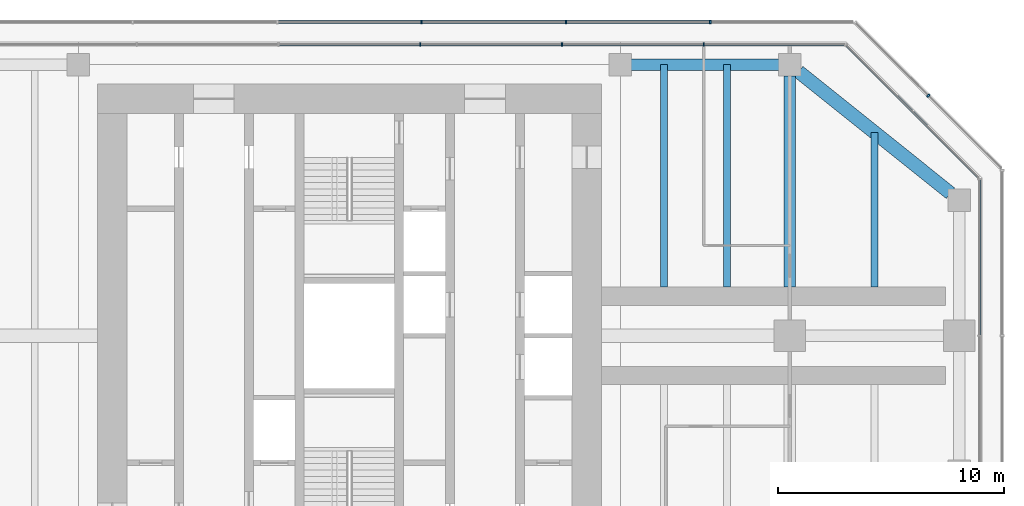
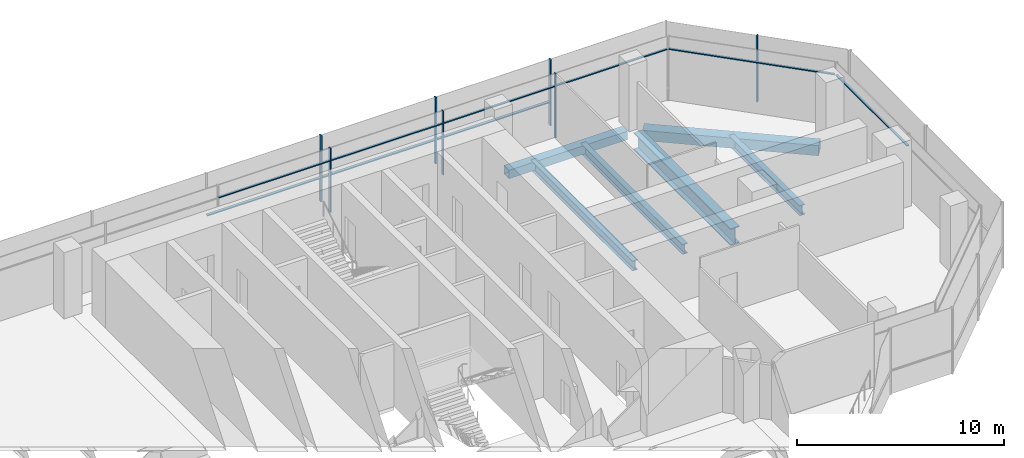
# One storey, part 7 of 15: 16 members, 6 beams, 5 elements without a shape of their own.
"""IFC4 building model written with IfcOpenShell, lengths in metres."""

from ifc_helpers import new_model, si_unit, direction, frame, origin, origin_2d, place, context, subcontext, project, spatial, rectangle, hollow_rectangle, i_section, extrude, material, material_profile, profile_set, type_object, element, aggregate, save


model = new_model("IFC4")

# Units and contexts
model_context = context("Model", 3, precision=1e-05, world=origin(), true_north=direction((0.0, 1.0)))
body_context = subcontext(model_context, "Body", "Model", "MODEL_VIEW")
ifc_project = project(units=[si_unit("LENGTHUNIT", "METRE"), si_unit("AREAUNIT", "SQUARE_METRE"), si_unit("VOLUMEUNIT", "CUBIC_METRE"), si_unit("PLANEANGLEUNIT", "RADIAN"), si_unit("MASSUNIT", "GRAM", prefix="KILO")], contexts=[model_context])

# Site, building, storey
site_placement = place(None, origin())
site = spatial("IfcSite", under=ifc_project, at=site_placement, CompositionType="ELEMENT")
building_placement = place(site_placement, origin())
building = spatial("IfcBuilding", under=site, at=building_placement, Name="Mizan Broadcast Tower", CompositionType="ELEMENT")
storey_placement = place(building_placement, frame((0.0, 0.0, 275.10009765625)))
storey = spatial("IfcBuildingStorey", under=building, at=storey_placement, Name="L65", CompositionType="ELEMENT", Elevation=275.10009765625)

# Beams
ifc_material_1 = material(Name="Steel S355", Category="steel")
ifc_material_profile_1 = material_profile(ifc_material_1, hollow_rectangle(XDim=0.5, YDim=0.5, WallThickness=0.030029296875, at=origin_2d()), Name="BOX 500x500x30")
ifc_profile_set_1 = profile_set([ifc_material_profile_1], Name="Steel S355")
beam_type_1 = type_object("IfcBeamType", Name="EDGE BEAM BOX 500x500x30", PredefinedType="SPANDREL", material=ifc_profile_set_1)
beam_1_placement = place(storey_placement, frame((12.449951171875, 12.0, -0.380126953125), z_axis=(1.0, 0.0, 0.0), x_axis=(0.0, 1.0, 0.0)))
element("IfcBeam", 1, at=beam_1_placement, inside=storey, type_object=beam_type_1, Name="Edge beam BOX 500x500x30 L65 east arm", PredefinedType="SPANDREL", context=body_context, shape_type="SweptSolid", body=[
    extrude(hollow_rectangle(XDim=0.5, YDim=0.5, WallThickness=0.030029296875, at=origin_2d()), origin(), (0.0, 0.0, 1.0), 6.60009765625),
])
ifc_material_2 = material(Name="Steel S355", Category="steel")
ifc_material_profile_2 = material_profile(ifc_material_2, hollow_rectangle(XDim=0.60009765625, YDim=0.60009765625, WallThickness=0.030029296875, at=origin_2d()), Name="BOX 600x600x30")
ifc_profile_set_2 = profile_set([ifc_material_profile_2], Name="Steel S355")
beam_type_2 = type_object("IfcBeamType", Name="EDGE BEAM BOX 600x600x30", PredefinedType="SPANDREL", material=ifc_profile_set_2)
beam_2_placement = place(storey_placement, frame((19.890380859375, 11.687744140625, -0.43017578125), z_axis=(0.780863273348, -0.62470196761, 0.0), x_axis=(0.62470196761, 0.780863273348, 0.0)))
element("IfcBeam", 2, at=beam_2_placement, inside=storey, type_object=beam_type_2, Name="Edge beam BOX 600x600x30 L65 east arm", PredefinedType="SPANDREL", context=body_context, shape_type="SweptSolid", body=[
    extrude(hollow_rectangle(XDim=0.60009765625, YDim=0.60009765625, WallThickness=0.030029296875, at=origin_2d()), origin(), (0.0, 0.0, 1.0), 8.60498046875),
])
ifc_material_3 = material(Name="Steel S460", Category="steel")
ifc_material_profile_3 = material_profile(ifc_material_3, i_section(OverallWidth=0.5, OverallDepth=1.0, WebThickness=0.02490234375, FlangeThickness=0.050048828125, at=origin_2d()), Name="WPG 1000x500")
ifc_profile_set_3 = profile_set([ifc_material_profile_3], Name="Steel S460")
beam_type_3 = type_object("IfcBeamType", Name="GIRDER WPG 1000x500", PredefinedType="BEAM", material=ifc_profile_set_3)
beam_3_placement = place(storey_placement, frame((19.5, 11.5, -0.630126953125), z_axis=(0.0, -1.0, 0.0), x_axis=(1.0, 0.0, 0.0)))
element("IfcBeam", 3, at=beam_3_placement, inside=storey, type_object=beam_type_3, Name="Girder WPG 1000x500 L65 east arm", PredefinedType="BEAM", context=body_context, shape_type="SweptSolid", body=[
    extrude(i_section(OverallWidth=0.5, OverallDepth=1.0, WebThickness=0.02490234375, FlangeThickness=0.050048828125, at=origin_2d()), origin(), (0.0, 0.0, 1.0), 9.35009765625),
])

# Curtain wall, members
ifc_material_4 = material(Name="Aluminium framed glazing", Category="aluminium")
curtain_wall_type_1 = type_object("IfcCurtainWallType", Name="INNER SKIN TOP ZONE", PredefinedType="USERDEFINED", material=ifc_material_4)
curtain_wall_1_placement = place(storey_placement, origin())
curtain_wall_1 = element("IfcCurtainWall", 4, at=curtain_wall_1_placement, inside=storey, type_object=curtain_wall_type_1, Name="Inner skin top zone L65 N end", ObjectType="INNER SKIN TOP ZONE", PredefinedType="USERDEFINED")
ifc_material_5 = material(Name="Aluminium, pale anodised", Category="aluminium")
ifc_material_profile_4 = material_profile(ifc_material_5, rectangle(XDim=0.159912109375, YDim=0.06005859375, at=origin_2d()), Name="MULLION 160x60")
ifc_profile_set_4 = profile_set([ifc_material_profile_4], Name="Aluminium, pale anodised")
member_type_1 = type_object("IfcMemberType", Name="INNER SKIN MULLION 60x160", PredefinedType="MULLION", material=ifc_profile_set_4)
member_1_placement = place(storey_placement, frame((15.684814453125, 12.89990234375, 0.0), z_axis=(0.0, 0.0, 1.0), x_axis=(0.0, -1.0, 0.0)))
member_1 = element("IfcMember", 5, at=member_1_placement, type_object=member_type_1, Name="Inner skin top zone L65 N end mullion 2", PredefinedType="MULLION", context=body_context, shape_type="SweptSolid", body=[
    extrude(rectangle(XDim=0.159912109375, YDim=0.06005859375, at=origin_2d()), origin(), (0.0, 0.0, 1.0), 3.77001953125),
])
member_2_placement = place(storey_placement, frame((9.410888671875, 12.89990234375, 0.0), z_axis=(0.0, 0.0, 1.0), x_axis=(0.0, -1.0, 0.0)))
member_2 = element("IfcMember", 6, at=member_2_placement, type_object=member_type_1, Name="Inner skin top zone L65 N end mullion 3", PredefinedType="MULLION", context=body_context, shape_type="SweptSolid", body=[
    extrude(rectangle(XDim=0.159912109375, YDim=0.06005859375, at=origin_2d()), origin(), (0.0, 0.0, 1.0), 3.77001953125),
])
member_3_placement = place(storey_placement, frame((3.136962890625, 12.89990234375, 0.0), z_axis=(0.0, 0.0, 1.0), x_axis=(0.0, -1.0, 0.0)))
member_3 = element("IfcMember", 7, at=member_3_placement, type_object=member_type_1, Name="Inner skin top zone L65 N end mullion 4", PredefinedType="MULLION", context=body_context, shape_type="SweptSolid", body=[
    extrude(rectangle(XDim=0.159912109375, YDim=0.06005859375, at=origin_2d()), origin(), (0.0, 0.0, 1.0), 3.77001953125),
])

# Curtain wall, member
curtain_wall_2_placement = place(storey_placement, origin())
curtain_wall_2 = element("IfcCurtainWall", 8, at=curtain_wall_2_placement, inside=storey, type_object=curtain_wall_type_1, Name="Inner skin top zone L65 E end", ObjectType="INNER SKIN TOP ZONE", PredefinedType="USERDEFINED")
ifc_material_6 = material(Name="Aluminium, pale anodised", Category="aluminium")
ifc_material_profile_5 = material_profile(ifc_material_6, rectangle(XDim=0.1201171875, YDim=0.06005859375, at=origin_2d()), Name="TRANSOM 120x60")
ifc_profile_set_5 = profile_set([ifc_material_profile_5], Name="Aluminium, pale anodised")
member_type_2 = type_object("IfcMemberType", Name="INNER SKIN TRANSOM 60x120", PredefinedType="USERDEFINED", material=ifc_profile_set_5)
member_4_placement = place(storey_placement, frame((27.89990234375, 0.030029296875, 3.02978515625), z_axis=(0.0, 1.0, 0.0), x_axis=(-1.0, 0.0, 0.0)))
member_4 = element("IfcMember", 9, at=member_4_placement, type_object=member_type_2, Name="Inner skin top zone L65 E end transom 2.1", ObjectType="TRANSOM", PredefinedType="USERDEFINED", context=body_context, shape_type="SweptSolid", body=[
    extrude(rectangle(XDim=0.1201171875, YDim=0.06005859375, at=origin_2d()), origin(), (0.0, 0.0, 1.0), 6.86865234375),
])
aggregate(curtain_wall_2, [member_4])

curtain_wall_3_placement = place(storey_placement, origin())
curtain_wall_3 = element("IfcCurtainWall", 10, at=curtain_wall_3_placement, inside=storey, type_object=curtain_wall_type_1, Name="Inner skin top zone L65 E chamfer", ObjectType="INNER SKIN TOP ZONE", PredefinedType="USERDEFINED")
member_5_placement = place(storey_placement, frame((27.857666015625, 7.0009765625, 3.02978515625), z_axis=(-0.707106781187, 0.707106781187, 0.0), x_axis=(-0.707106781187, -0.707106781187, 0.0)))
member_5 = element("IfcMember", 11, at=member_5_placement, type_object=member_type_2, Name="Inner skin top zone L65 E chamfer transom 1.1", ObjectType="TRANSOM", PredefinedType="USERDEFINED", context=body_context, shape_type="SweptSolid", body=[
    extrude(rectangle(XDim=0.1201171875, YDim=0.06005859375, at=origin_2d()), origin(), (0.0, 0.0, 1.0), 8.28271484375),
])
aggregate(curtain_wall_3, [member_5])

# Member
member_6_placement = place(storey_placement, frame((21.898681640625, 12.89990234375, 3.02978515625), z_axis=(-1.0, 0.0, 0.0), x_axis=(0.0, -1.0, 0.0)))
member_6 = element("IfcMember", 12, at=member_6_placement, type_object=member_type_2, Name="Inner skin top zone L65 N end transom 1.1", ObjectType="TRANSOM", PredefinedType="USERDEFINED", context=body_context, shape_type="SweptSolid", body=[
    extrude(rectangle(XDim=0.1201171875, YDim=0.06005859375, at=origin_2d()), origin(), (0.0, 0.0, 1.0), 6.18408203125),
])

member_7_placement = place(storey_placement, frame((15.65478515625, 12.89990234375, 3.02978515625), z_axis=(-1.0, 0.0, 0.0), x_axis=(0.0, -1.0, 0.0)))
member_7 = element("IfcMember", 13, at=member_7_placement, type_object=member_type_2, Name="Inner skin top zone L65 N end transom 2.1", ObjectType="TRANSOM", PredefinedType="USERDEFINED", context=body_context, shape_type="SweptSolid", body=[
    extrude(rectangle(XDim=0.1201171875, YDim=0.06005859375, at=origin_2d()), origin(), (0.0, 0.0, 1.0), 6.2138671875),
])

member_8_placement = place(storey_placement, frame((9.380859375, 12.89990234375, 3.02978515625), z_axis=(-1.0, 0.0, 0.0), x_axis=(0.0, -1.0, 0.0)))
member_8 = element("IfcMember", 14, at=member_8_placement, type_object=member_type_2, Name="Inner skin top zone L65 N end transom 3.1", ObjectType="TRANSOM", PredefinedType="USERDEFINED", context=body_context, shape_type="SweptSolid", body=[
    extrude(rectangle(XDim=0.1201171875, YDim=0.06005859375, at=origin_2d()), origin(), (0.0, 0.0, 1.0), 6.2138671875),
])

member_9_placement = place(storey_placement, frame((3.10693359375, 12.89990234375, 3.02978515625), z_axis=(-1.0, 0.0, 0.0), x_axis=(0.0, -1.0, 0.0)))
member_9 = element("IfcMember", 15, at=member_9_placement, type_object=member_type_2, Name="Inner skin top zone L65 N end transom 4.1", ObjectType="TRANSOM", PredefinedType="USERDEFINED", context=body_context, shape_type="SweptSolid", body=[
    extrude(rectangle(XDim=0.1201171875, YDim=0.06005859375, at=origin_2d()), origin(), (0.0, 0.0, 1.0), 6.2138671875),
])

aggregate(curtain_wall_1, [member_1, member_2, member_3, member_6, member_7, member_8, member_9])

# Curtain wall, member
ifc_material_7 = material(Name="Aluminium framed glazing", Category="aluminium")
curtain_wall_type_2 = type_object("IfcCurtainWallType", Name="OUTER SKIN", PredefinedType="USERDEFINED", material=ifc_material_7)
curtain_wall_4_placement = place(storey_placement, origin())
curtain_wall_4 = element("IfcCurtainWall", 16, at=curtain_wall_4_placement, inside=storey, type_object=curtain_wall_type_2, Name="Outer skin L65 E chamfer", ObjectType="OUTER SKIN", PredefinedType="USERDEFINED")
ifc_material_8 = material(Name="Aluminium, pale anodised", Category="aluminium")
ifc_material_profile_6 = material_profile(ifc_material_8, rectangle(XDim=0.159912109375, YDim=0.080078125, at=origin_2d()), Name="MULLION 160x80")
ifc_profile_set_6 = profile_set([ifc_material_profile_6], Name="Aluminium, pale anodised")
member_type_3 = type_object("IfcMemberType", Name="OUTER SKIN MULLION 80x160", PredefinedType="MULLION", material=ifc_profile_set_6)
member_10_placement = place(storey_placement, frame((25.636474609375, 10.636474609375, 0.0), z_axis=(0.0, 0.0, 1.0), x_axis=(-0.707106781187, -0.707106781187, 0.0)))
member_10 = element("IfcMember", 17, at=member_10_placement, type_object=member_type_3, Name="Outer skin L65 E chamfer mullion 2", PredefinedType="MULLION", context=body_context, shape_type="SweptSolid", body=[
    extrude(rectangle(XDim=0.159912109375, YDim=0.080078125, at=origin_2d()), origin(), (0.0, 0.0, 1.0), 3.89990234375),
])
aggregate(curtain_wall_4, [member_10])

# Curtain wall, members
curtain_wall_5_placement = place(storey_placement, origin())
curtain_wall_5 = element("IfcCurtainWall", 18, at=curtain_wall_5_placement, inside=storey, type_object=curtain_wall_type_2, Name="Outer skin L65 N end", ObjectType="OUTER SKIN", PredefinedType="USERDEFINED")
member_11_placement = place(storey_placement, frame((15.98046875, 13.89990234375, 0.0), z_axis=(0.0, 0.0, 1.0), x_axis=(0.0, -1.0, 0.0)))
member_11 = element("IfcMember", 19, at=member_11_placement, type_object=member_type_3, Name="Outer skin L65 N end mullion 2", PredefinedType="MULLION", context=body_context, shape_type="SweptSolid", body=[
    extrude(rectangle(XDim=0.159912109375, YDim=0.080078125, at=origin_2d()), origin(), (0.0, 0.0, 1.0), 3.89990234375),
])
member_12_placement = place(storey_placement, frame((9.58837890625, 13.89990234375, 0.0), z_axis=(0.0, 0.0, 1.0), x_axis=(0.0, -1.0, 0.0)))
member_12 = element("IfcMember", 20, at=member_12_placement, type_object=member_type_3, Name="Outer skin L65 N end mullion 3", PredefinedType="MULLION", context=body_context, shape_type="SweptSolid", body=[
    extrude(rectangle(XDim=0.159912109375, YDim=0.080078125, at=origin_2d()), origin(), (0.0, 0.0, 1.0), 3.89990234375),
])
member_13_placement = place(storey_placement, frame((3.196044921875, 13.89990234375, 0.0), z_axis=(0.0, 0.0, 1.0), x_axis=(0.0, -1.0, 0.0)))
member_13 = element("IfcMember", 21, at=member_13_placement, type_object=member_type_3, Name="Outer skin L65 N end mullion 4", PredefinedType="MULLION", context=body_context, shape_type="SweptSolid", body=[
    extrude(rectangle(XDim=0.159912109375, YDim=0.080078125, at=origin_2d()), origin(), (0.0, 0.0, 1.0), 3.89990234375),
])
ifc_material_9 = material(Name="Aluminium, pale anodised", Category="aluminium")
ifc_material_profile_7 = material_profile(ifc_material_9, rectangle(XDim=0.159912109375, YDim=0.06005859375, at=origin_2d()), Name="TRANSOM 160x60")
ifc_profile_set_7 = profile_set([ifc_material_profile_7], Name="Aluminium, pale anodised")
member_type_4 = type_object("IfcMemberType", Name="OUTER SKIN TRANSOM 60x160", PredefinedType="USERDEFINED", material=ifc_profile_set_7)
member_14_placement = place(storey_placement, frame((15.940673828125, 13.89990234375, 1.39990234375), z_axis=(-1.0, 0.0, 0.0), x_axis=(0.0, -1.0, 0.0)))
member_14 = element("IfcMember", 22, at=member_14_placement, type_object=member_type_4, Name="Outer skin L65 N end transom 2.1", ObjectType="TRANSOM", PredefinedType="USERDEFINED", context=body_context, shape_type="SweptSolid", body=[
    extrude(rectangle(XDim=0.159912109375, YDim=0.06005859375, at=origin_2d()), origin(), (0.0, 0.0, 1.0), 6.312255859375),
])
member_15_placement = place(storey_placement, frame((9.54833984375, 13.89990234375, 1.39990234375), z_axis=(-1.0, 0.0, 0.0), x_axis=(0.0, -1.0, 0.0)))
member_15 = element("IfcMember", 23, at=member_15_placement, type_object=member_type_4, Name="Outer skin L65 N end transom 3.1", ObjectType="TRANSOM", PredefinedType="USERDEFINED", context=body_context, shape_type="SweptSolid", body=[
    extrude(rectangle(XDim=0.159912109375, YDim=0.06005859375, at=origin_2d()), origin(), (0.0, 0.0, 1.0), 6.312255859375),
])
member_16_placement = place(storey_placement, frame((3.156005859375, 13.89990234375, 1.39990234375), z_axis=(-1.0, 0.0, 0.0), x_axis=(0.0, -1.0, 0.0)))
member_16 = element("IfcMember", 24, at=member_16_placement, type_object=member_type_4, Name="Outer skin L65 N end transom 4.1", ObjectType="TRANSOM", PredefinedType="USERDEFINED", context=body_context, shape_type="SweptSolid", body=[
    extrude(rectangle(XDim=0.159912109375, YDim=0.06005859375, at=origin_2d()), origin(), (0.0, 0.0, 1.0), 6.31201171875),
])
aggregate(curtain_wall_5, [member_11, member_12, member_13, member_14, member_15, member_16])

# Beams
ifc_material_10 = material(Name="Steel S355", Category="steel")
ifc_material_profile_8 = material_profile(ifc_material_10, i_section(OverallWidth=0.300048828125, OverallDepth=0.590087890625, WebThickness=0.012939453125, FlangeThickness=0.02490234375, FilletRadius=0.027099609375, at=origin_2d()), Name="HEA 600")
ifc_profile_set_8 = profile_set([ifc_material_profile_8], Name="Steel S355")
beam_type_4 = type_object("IfcBeamType", Name="SECONDARY BEAM HEA 600", PredefinedType="JOIST", material=ifc_profile_set_8)
for number, where, z_axis, x_axis, name in (
    (25, (13.933349609375, 12.0, -0.425048828125), (0.0, -1.0, 0.0), (1.0, 0.0, 0.0), "Secondary beam HEA 600 L65 east arm"),
    (26, (16.716552734375, 12.0, -0.425048828125), (0.0, -1.0, 0.0), (1.0, 0.0, 0.0), "Secondary beam HEA 600 L65 east arm"),
):
    element("IfcBeam", number, at=place(storey_placement, frame(where, z_axis=z_axis, x_axis=x_axis)), inside=storey, type_object=beam_type_4, Name=name, PredefinedType="JOIST", context=body_context, shape_type="SweptSolid", body=[
        extrude(i_section(OverallWidth=0.300048828125, OverallDepth=0.590087890625, WebThickness=0.012939453125, FlangeThickness=0.02490234375, FilletRadius=0.027099609375, at=origin_2d()), origin(), (0.0, 0.0, 1.0), 9.85009765625),
    ])
beam_4_placement = place(storey_placement, frame((23.25, 9.0, -0.425048828125), z_axis=(0.0, -1.0, 0.0), x_axis=(1.0, 0.0, 0.0)))
element("IfcBeam", 27, at=beam_4_placement, inside=storey, type_object=beam_type_4, Name="Secondary beam HEA 600 L65 east arm", PredefinedType="JOIST", context=body_context, shape_type="SweptSolid", body=[
    extrude(i_section(OverallWidth=0.300048828125, OverallDepth=0.590087890625, WebThickness=0.012939453125, FlangeThickness=0.02490234375, FilletRadius=0.027099609375, at=origin_2d()), origin(), (0.0, 0.0, 1.0), 6.85009765625),
])

save(model, "model.ifc")
